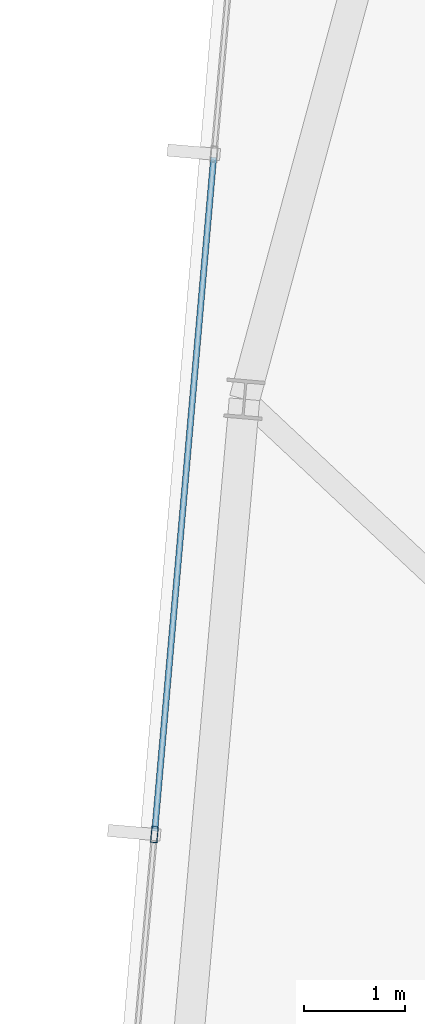
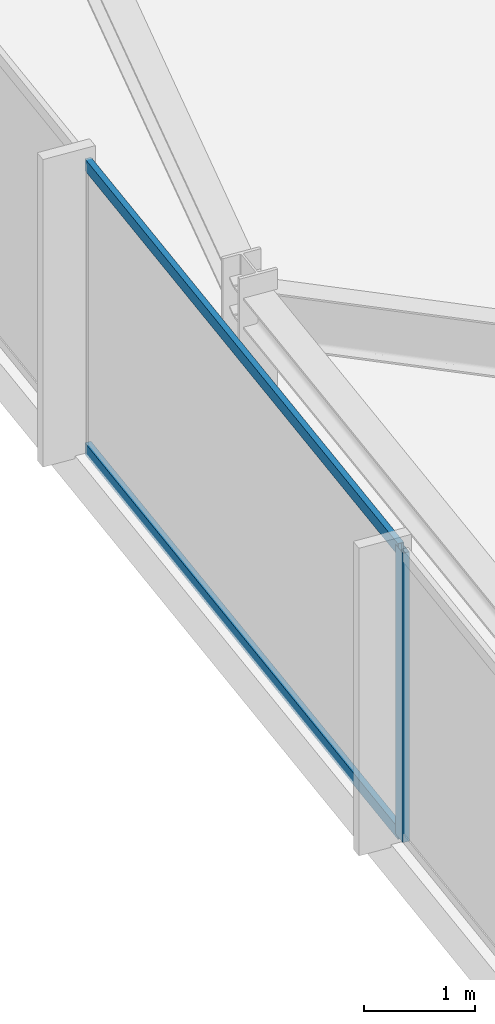
# One storey, part 9 of 32: 3 members, 1 element without a shape of its own.
"""IFC4 building model written with IfcOpenShell, lengths in metres."""

from ifc_helpers import new_model, si_unit, direction, frame, origin, origin_2d, place, context, subcontext, project, spatial, hollow_rectangle, extrude, material, material_profile, profile_set, type_object, element, aggregate, save


model = new_model("IFC4")

# Units and contexts
model_context = context("Model", 3, precision=1e-05, world=origin(), true_north=direction((0.0, 1.0)))
body_context = subcontext(model_context, "Body", "Model", "MODEL_VIEW")
ifc_project = project(units=[si_unit("LENGTHUNIT", "METRE"), si_unit("AREAUNIT", "SQUARE_METRE"), si_unit("VOLUMEUNIT", "CUBIC_METRE"), si_unit("PLANEANGLEUNIT", "RADIAN"), si_unit("MASSUNIT", "GRAM", prefix="KILO")], contexts=[model_context])

# Site, building, storey
site_placement = place(None, origin())
site = spatial("IfcSite", under=ifc_project, at=site_placement, CompositionType="ELEMENT")
building_placement = place(site_placement, origin())
building = spatial("IfcBuilding", under=site, at=building_placement, Name="Yelkora Congress Tower", CompositionType="ELEMENT")
storey_placement = place(building_placement, frame((0.0, 0.0, 259.10009765625)))
storey = spatial("IfcBuildingStorey", under=building, at=storey_placement, Name="L72", CompositionType="ELEMENT", Elevation=259.10009765625)

# Curtain wall, members
ifc_material_1 = material(Name="Anodised aluminium and insulated glass", Category="aluminium")
curtain_wall_type = type_object("IfcCurtainWallType", Name="CW-SYS-B5", PredefinedType="NOTDEFINED", material=ifc_material_1)
curtain_wall_placement = place(storey_placement, origin())
curtain_wall = element("IfcCurtainWall", 1, at=curtain_wall_placement, inside=storey, type_object=curtain_wall_type, Name="L72 Unitised Curtain Wall 5", PredefinedType="NOTDEFINED")
ifc_material_2 = material(Name="Anodised aluminium 6063-T6", Category="aluminium")
ifc_material_profile_1 = material_profile(ifc_material_2, hollow_rectangle(XDim=0.06494140625, YDim=0.159912109375, WallThickness=0.00390625, at=origin_2d()), Name="ALU 65x160x4")
ifc_profile_set_1 = profile_set([ifc_material_profile_1], Name="Anodised aluminium 6063-T6")
member_type_1 = type_object("IfcMemberType", Name="MEM-ML-B5", PredefinedType="MULLION", material=ifc_profile_set_1)
member_1_placement = place(storey_placement, frame((6.900146484375, 35.200927734375, 0.0), z_axis=(0.0, 0.0, 1.0), x_axis=(-0.996194785929, 0.08715473876, 0.0)))
member_1 = element("IfcMember", 2, at=member_1_placement, type_object=member_type_1, Name="CW-B5 mullion 3", PredefinedType="MULLION", context=body_context, shape_type="SweptSolid", body=[
    extrude(hollow_rectangle(XDim=0.06494140625, YDim=0.159912109375, WallThickness=0.00390625, at=origin_2d()), origin(), (0.0, 0.0, 1.0), 3.179931640625),
])
ifc_material_profile_2 = material_profile(ifc_material_2, hollow_rectangle(XDim=0.06005859375, YDim=0.1298828125, WallThickness=0.00390625, at=origin_2d()), Name="ALU 60x130x4")
ifc_profile_set_2 = profile_set([ifc_material_profile_2], Name="Anodised aluminium 6063-T6")
member_type_2 = type_object("IfcMemberType", Name="MEM-TR-B5", PredefinedType="USERDEFINED", material=ifc_profile_set_2)
member_2_placement = place(storey_placement, frame((6.903076171875, 35.2333984375, 0.02978515625), z_axis=(0.087143321513, 0.996195784731, 0.0), x_axis=(-0.996195784731, 0.087143321513, 0.0)))
member_2 = element("IfcMember", 3, at=member_2_placement, type_object=member_type_2, Name="CW-B5 transom 3.1", ObjectType="TRANSOM", PredefinedType="USERDEFINED", context=body_context, shape_type="SweptSolid", body=[
    extrude(hollow_rectangle(XDim=0.06005859375, YDim=0.1298828125, WallThickness=0.00390625, at=origin_2d()), origin(), (0.0, 0.0, 1.0), 6.6650390625),
])
member_3_placement = place(storey_placement, frame((6.903076171875, 35.2333984375, 3.14990234375), z_axis=(0.087143321513, 0.996195784731, 0.0), x_axis=(-0.996195784731, 0.087143321513, 0.0)))
member_3 = element("IfcMember", 4, at=member_3_placement, type_object=member_type_2, Name="CW-B5 transom 3.2", ObjectType="TRANSOM", PredefinedType="USERDEFINED", context=body_context, shape_type="SweptSolid", body=[
    extrude(hollow_rectangle(XDim=0.06005859375, YDim=0.1298828125, WallThickness=0.00390625, at=origin_2d()), origin(), (0.0, 0.0, 1.0), 6.6650390625),
])
aggregate(curtain_wall, [member_1, member_2, member_3])

save(model, "model.ifc")
